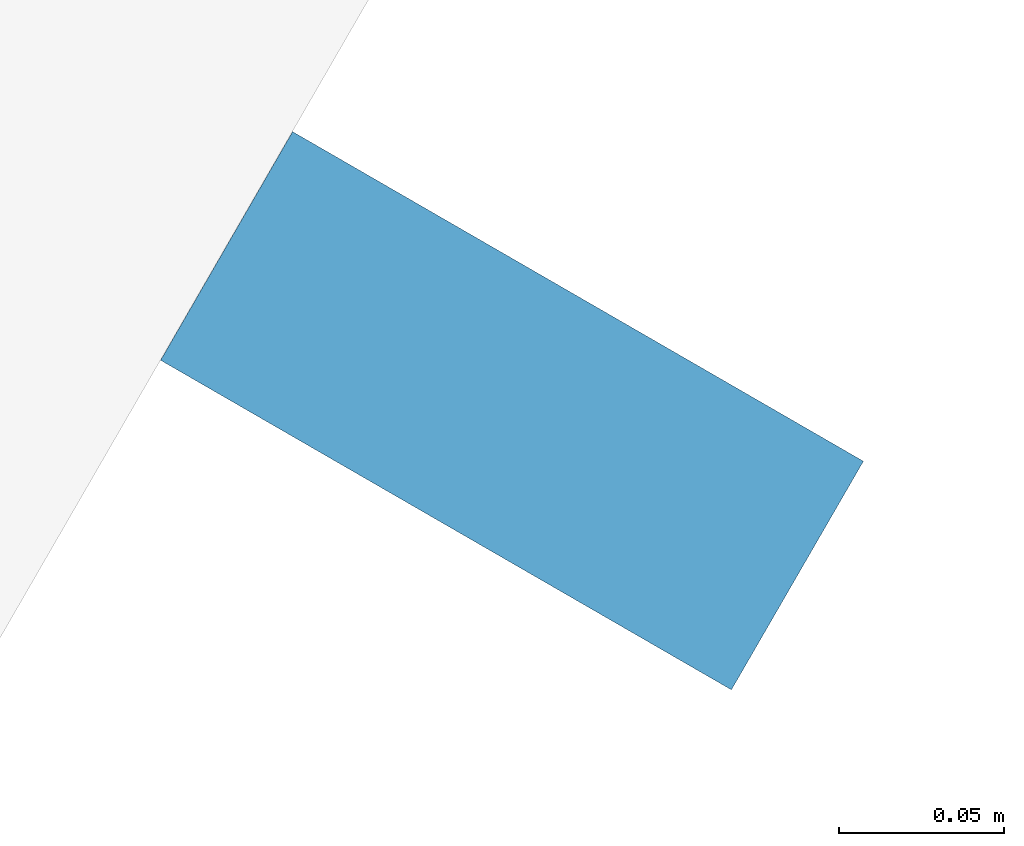
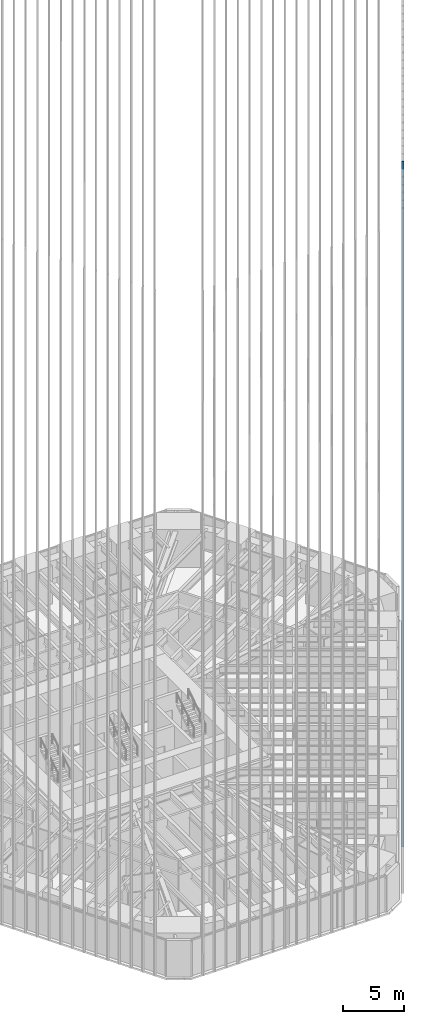
# One storey, part 89 of 256: 1 member, 1 element without a shape of its own.
"""IFC4 building model written with IfcOpenShell, lengths in metres."""

from ifc_helpers import new_model, si_unit, direction, frame, origin, origin_2d, place, context, subcontext, project, spatial, rectangle, extrude, material, material_profile, profile_set, type_object, element, aggregate, save


model = new_model("IFC4")

# Units and contexts
model_context = context("Model", 3, precision=1e-05, world=origin(), true_north=direction((0.0, 1.0)))
body_context = subcontext(model_context, "Body", "Model", "MODEL_VIEW")
ifc_project = project(units=[si_unit("LENGTHUNIT", "METRE"), si_unit("AREAUNIT", "SQUARE_METRE"), si_unit("VOLUMEUNIT", "CUBIC_METRE"), si_unit("PLANEANGLEUNIT", "RADIAN"), si_unit("MASSUNIT", "GRAM", prefix="KILO")], contexts=[model_context])

# Site, building, storey
site_placement = place(None, origin())
site = spatial("IfcSite", under=ifc_project, at=site_placement, CompositionType="ELEMENT")
building_placement = place(site_placement, origin())
building = spatial("IfcBuilding", under=site, at=building_placement, Name="Sandreach Pilgrim Tower", CompositionType="ELEMENT")
storey_placement = place(building_placement, frame((0.0, 0.0, 23.0)))
storey = spatial("IfcBuildingStorey", under=building, at=storey_placement, Name="L04", CompositionType="ELEMENT", Elevation=23.0)

# Curtain wall, member
ifc_material_1 = material(Name="Aluminium framed curtain wall", Category="aluminium")
curtain_wall_type = type_object("IfcCurtainWallType", Name="Hostel tower curtain wall", PredefinedType="NOTDEFINED", material=ifc_material_1)
curtain_wall_placement = place(storey_placement, origin())
curtain_wall = element("IfcCurtainWall", 1, at=curtain_wall_placement, inside=storey, type_object=curtain_wall_type, Name="CW-1 L04 SE", PredefinedType="NOTDEFINED")
ifc_material_2 = material(Name="Extruded terracotta on aluminium core", Category="masonry")
ifc_material_profile = material_profile(ifc_material_2, rectangle(XDim=0.080078125, YDim=0.199951171875, at=origin_2d()), Name="TBE 80X200")
ifc_profile_set = profile_set([ifc_material_profile], Name="Extruded terracotta on aluminium core")
member_type = type_object("IfcMemberType", Name="Terracotta baguette east", PredefinedType="USERDEFINED", material=ifc_profile_set)
member_placement = place(storey_placement, frame((15.005126953125, -22.707763671875, 0.0), z_axis=(0.0, 0.0, 1.0), x_axis=(-0.5, -0.866025403784, 0.0)))
member = element("IfcMember", 2, at=member_placement, type_object=member_type, Name="Baguette Z1 SE29", ObjectType="BAGUETTE", PredefinedType="USERDEFINED", context=body_context, shape_type="SweptSolid", body=[
    extrude(rectangle(XDim=0.080078125, YDim=0.199951171875, at=origin_2d()), origin(), (0.0, 0.0, 1.0), 68.239990234375),
])
aggregate(curtain_wall, [member])

save(model, "model.ifc")
